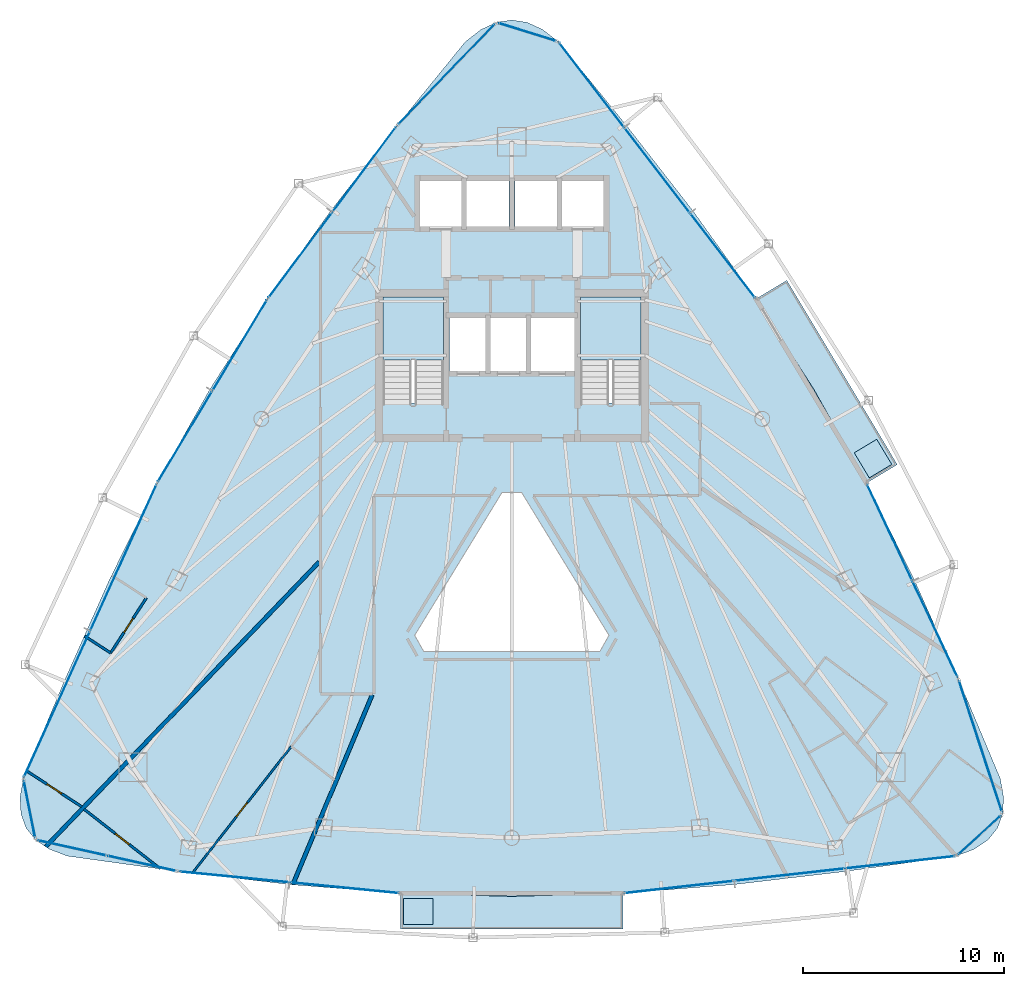
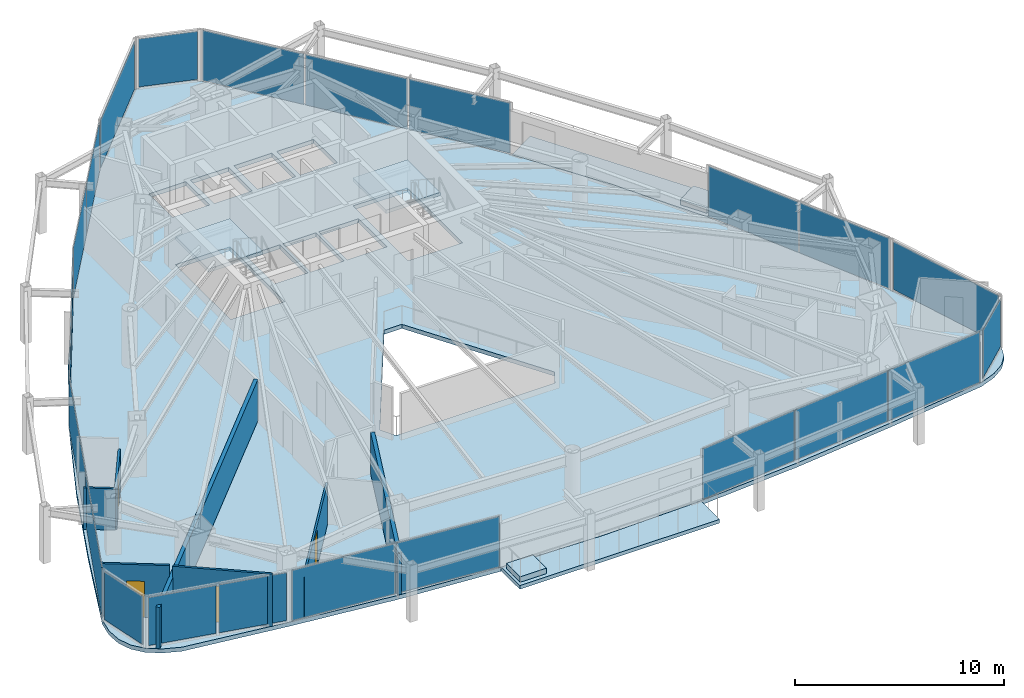
# One storey, part 25 of 30: 23 plates, 7 slabs, 7 walls, 4 doors, 4 openings, 15 elements without a shape of their own.
"""IFC4 building model written with IfcOpenShell, lengths in metres."""

from ifc_helpers import new_model, si_unit, direction, frame, frame_2d, origin, origin_2d, place, context, subcontext, project, spatial, polyline, rectangle, outline, extrude, material, layer, layer_set, type_object, element, fill, aggregate, save


model = new_model("IFC4")

# Units and contexts
model_context = context("Model", 3, precision=1e-05, world=origin(), true_north=direction((0.0, 1.0)))
body_context = subcontext(model_context, "Body", "Model", "MODEL_VIEW")
ifc_project = project(units=[si_unit("LENGTHUNIT", "METRE"), si_unit("AREAUNIT", "SQUARE_METRE"), si_unit("VOLUMEUNIT", "CUBIC_METRE"), si_unit("PLANEANGLEUNIT", "RADIAN"), si_unit("MASSUNIT", "GRAM", prefix="KILO")], contexts=[model_context])

# Site, building, storey
site_placement = place(None, origin())
site = spatial("IfcSite", under=ifc_project, at=site_placement, CompositionType="ELEMENT")
building_placement = place(site_placement, origin())
building = spatial("IfcBuilding", under=site, at=building_placement, Name="Orvanel Arch Residences", CompositionType="ELEMENT")
storey_placement = place(building_placement, frame((0.0, 0.0, 180.35009765625)))
storey = spatial("IfcBuildingStorey", under=building, at=storey_placement, Name="L51", CompositionType="ELEMENT", Elevation=180.35009765625)

# Curtain wall, plates
ifc_material_1 = material(Name="Bronze-anodised aluminium AA6063-T6", Category="aluminium")
ifc_layer_1 = layer(ifc_material_1, 0.179931640625)
ifc_layer_set_1 = layer_set([ifc_layer_1], Name="Bronze-anodised aluminium AA6063-T6")
curtain_wall_type_1 = type_object("IfcCurtainWallType", Name="CW3-MID-SYS", PredefinedType="NOTDEFINED", material=ifc_layer_set_1)
curtain_wall_1_placement = place(storey_placement, origin())
curtain_wall_1 = element("IfcCurtainWall", 1, at=curtain_wall_1_placement, inside=storey, type_object=curtain_wall_type_1, Name="L51 CW3-MID-SYS Unitised Curtain Wall", PredefinedType="NOTDEFINED")
ifc_material_2 = material(Name="Double-glazed solar-control low-E safety glass", Category="glass")
ifc_layer_2 = layer(ifc_material_2, 0.028076171875)
ifc_layer_set_2 = layer_set([ifc_layer_2], Name="Double-glazed solar-control low-E safety glass")
plate_type_1 = type_object("IfcPlateType", Name="PNL-GLZ-28", PredefinedType="CURTAIN_PANEL", material=ifc_layer_set_2)
plate_1_placement = place(storey_placement, frame((25.673583984375, 40.014892578125, 0.059814453125), z_axis=(0.0, 0.0, 1.0), x_axis=(-0.598439994041, -0.801167631356, 0.0)))
plate_1 = element("IfcPlate", 2, at=plate_1_placement, type_object=plate_type_1, Name="CW-S3 panel 1.1", PredefinedType="CURTAIN_PANEL", context=body_context, shape_type="SweptSolid", body=[
    extrude(rectangle(XDim=5.232177734375, YDim=0.028076171875, at=origin_2d()), origin(), (0.0, 0.0, 1.0), 2.93994140625),
])
plate_2_placement = place(storey_placement, frame((22.50048828125, 35.76708984375, 0.059814453125), z_axis=(0.0, 0.0, 1.0), x_axis=(-0.598439994041, -0.801167631356, 0.0)))
plate_2 = element("IfcPlate", 3, at=plate_2_placement, type_object=plate_type_1, Name="CW-S3 panel 2.1", PredefinedType="CURTAIN_PANEL", context=body_context, shape_type="SweptSolid", body=[
    extrude(rectangle(XDim=5.232177734375, YDim=0.028076171875, at=origin_2d()), origin(), (0.0, 0.0, 1.0), 2.93994140625),
])
aggregate(curtain_wall_1, [plate_1, plate_2])

curtain_wall_2_placement = place(storey_placement, origin())
curtain_wall_2 = element("IfcCurtainWall", 4, at=curtain_wall_2_placement, inside=storey, type_object=curtain_wall_type_1, Name="L51 CW3-MID-SYS Unitised Curtain Wall", PredefinedType="NOTDEFINED")
plate_3_placement = place(storey_placement, frame((19.496337890625, 31.2900390625, 0.059814453125), z_axis=(0.0, 0.0, 1.0), x_axis=(-0.514371132502, -0.857567687153, 0.0)))
plate_3 = element("IfcPlate", 5, at=plate_3_placement, type_object=plate_type_1, Name="CW-S3 panel 1.1", PredefinedType="CURTAIN_PANEL", context=body_context, shape_type="SweptSolid", body=[
    extrude(rectangle(XDim=5.205322265625, YDim=0.028076171875, at=origin_2d()), origin(), (0.0, 0.0, 1.0), 2.93994140625),
])
plate_4_placement = place(storey_placement, frame((16.78271484375, 26.76611328125, 0.059814453125), z_axis=(0.0, 0.0, 1.0), x_axis=(-0.514371132502, -0.857567687153, 0.0)))
plate_4 = element("IfcPlate", 6, at=plate_4_placement, type_object=plate_type_1, Name="CW-S3 panel 2.1", PredefinedType="CURTAIN_PANEL", context=body_context, shape_type="SweptSolid", body=[
    extrude(rectangle(XDim=5.205322265625, YDim=0.028076171875, at=origin_2d()), origin(), (0.0, 0.0, 1.0), 2.93994140625),
])
aggregate(curtain_wall_2, [plate_3, plate_4])

curtain_wall_3_placement = place(storey_placement, origin())
curtain_wall_3 = element("IfcCurtainWall", 7, at=curtain_wall_3_placement, inside=storey, type_object=curtain_wall_type_1, Name="L51 CW3-MID-SYS Unitised Curtain Wall", PredefinedType="NOTDEFINED")
plate_5_placement = place(storey_placement, frame((13.726806640625, 20.766357421875, 0.059814453125), z_axis=(0.0, 0.0, 1.0), x_axis=(-0.412530955809, -0.910943582501, 0.0)))
plate_5 = element("IfcPlate", 8, at=plate_5_placement, type_object=plate_type_1, Name="CW-S3 panel 1.1", PredefinedType="CURTAIN_PANEL", context=body_context, shape_type="SweptSolid", body=[
    extrude(rectangle(XDim=7.923583984375, YDim=0.028076171875, at=origin_2d()), origin(), (0.0, 0.0, 1.0), 2.93994140625),
])
plate_6_placement = place(storey_placement, frame((10.42919921875, 13.484619140625, 0.059814453125), z_axis=(0.0, 0.0, 1.0), x_axis=(-0.412530955809, -0.910943582501, 0.0)))
plate_6 = element("IfcPlate", 9, at=plate_6_placement, type_object=plate_type_1, Name="CW-S3 panel 2.1", PredefinedType="CURTAIN_PANEL", context=body_context, shape_type="SweptSolid", body=[
    extrude(rectangle(XDim=7.923583984375, YDim=0.028076171875, at=origin_2d()), origin(), (0.0, 0.0, 1.0), 2.93994140625),
])
aggregate(curtain_wall_3, [plate_5, plate_6])

curtain_wall_4_placement = place(storey_placement, origin())
curtain_wall_4 = element("IfcCurtainWall", 10, at=curtain_wall_4_placement, inside=storey, type_object=curtain_wall_type_1, Name="L51 CW3-MID-SYS Unitised Curtain Wall", PredefinedType="NOTDEFINED")
plate_7_placement = place(storey_placement, frame((19.23828125, 4.906494140625, 0.059814453125), z_axis=(0.0, 0.0, 1.0), x_axis=(0.995215758482, -0.097701556124, 0.0)))
plate_7 = element("IfcPlate", 11, at=plate_7_placement, type_object=plate_type_1, Name="CW-S3 panel 1.1", PredefinedType="CURTAIN_PANEL", context=body_context, shape_type="SweptSolid", body=[
    extrude(rectangle(XDim=5.4169921875, YDim=0.028076171875, at=origin_2d()), origin(), (0.0, 0.0, 1.0), 2.93994140625),
])
plate_8_placement = place(storey_placement, frame((24.69873046875, 4.370361328125, 0.059814453125), z_axis=(0.0, 0.0, 1.0), x_axis=(0.995215758482, -0.097701556124, 0.0)))
plate_8 = element("IfcPlate", 12, at=plate_8_placement, type_object=plate_type_1, Name="CW-S3 panel 2.1", PredefinedType="CURTAIN_PANEL", context=body_context, shape_type="SweptSolid", body=[
    extrude(rectangle(XDim=5.4169921875, YDim=0.028076171875, at=origin_2d()), origin(), (0.0, 0.0, 1.0), 2.93994140625),
])
aggregate(curtain_wall_4, [plate_7, plate_8])

curtain_wall_5_placement = place(storey_placement, origin())
curtain_wall_5 = element("IfcCurtainWall", 13, at=curtain_wall_5_placement, inside=storey, type_object=curtain_wall_type_1, Name="L51 CW3-MID-SYS Unitised Curtain Wall", PredefinedType="NOTDEFINED")
plate_9_placement = place(storey_placement, frame((41.304443359375, 4.408447265625, 0.059814453125), z_axis=(0.0, 0.0, 1.0), x_axis=(0.993811570836, 0.111079078463, 0.0)))
plate_9 = element("IfcPlate", 14, at=plate_9_placement, type_object=plate_type_1, Name="CW-S3 panel 1.1", PredefinedType="CURTAIN_PANEL", context=body_context, shape_type="SweptSolid", body=[
    extrude(rectangle(XDim=5.431640625, YDim=0.028076171875, at=origin_2d()), origin(), (0.0, 0.0, 1.0), 2.93994140625),
])
plate_10_placement = place(storey_placement, frame((46.78955078125, 5.021484375, 0.059814453125), z_axis=(0.0, 0.0, 1.0), x_axis=(0.993811570836, 0.111079078463, 0.0)))
plate_10 = element("IfcPlate", 15, at=plate_10_placement, type_object=plate_type_1, Name="CW-S3 panel 2.1", PredefinedType="CURTAIN_PANEL", context=body_context, shape_type="SweptSolid", body=[
    extrude(rectangle(XDim=5.466552734375, YDim=0.028076171875, at=origin_2d()), origin(), (0.0, 0.0, 1.0), 2.93994140625),
])
plate_11_placement = place(storey_placement, frame((52.2744140625, 5.634521484375, 0.059814453125), z_axis=(0.0, 0.0, 1.0), x_axis=(0.993811570836, 0.111079078463, 0.0)))
plate_11 = element("IfcPlate", 16, at=plate_11_placement, type_object=plate_type_1, Name="CW-S3 panel 3.1", PredefinedType="CURTAIN_PANEL", context=body_context, shape_type="SweptSolid", body=[
    extrude(rectangle(XDim=5.431640625, YDim=0.028076171875, at=origin_2d()), origin(), (0.0, 0.0, 1.0), 2.93994140625),
])
aggregate(curtain_wall_5, [plate_9, plate_10, plate_11])

curtain_wall_6_placement = place(storey_placement, origin())
curtain_wall_6 = element("IfcCurtainWall", 17, at=curtain_wall_6_placement, inside=storey, type_object=curtain_wall_type_1, Name="L51 CW3-MID-SYS Unitised Curtain Wall", PredefinedType="NOTDEFINED")
plate_12_placement = place(storey_placement, frame((54.00634765625, 17.20751953125, 0.059814453125), z_axis=(0.0, 0.0, 1.0), x_axis=(-0.425007396362, 0.905189876787, 0.0)))
plate_12 = element("IfcPlate", 18, at=plate_12_placement, type_object=plate_type_1, Name="CW-S3 panel 1.1", PredefinedType="CURTAIN_PANEL", context=body_context, shape_type="SweptSolid", body=[
    extrude(rectangle(XDim=5.232666015625, YDim=0.028076171875, at=origin_2d()), origin(), (0.0, 0.0, 1.0), 2.93994140625),
])
plate_13_placement = place(storey_placement, frame((51.752685546875, 22.00732421875, 0.059814453125), z_axis=(0.0, 0.0, 1.0), x_axis=(-0.425007396362, 0.905189876787, 0.0)))
plate_13 = element("IfcPlate", 19, at=plate_13_placement, type_object=plate_type_1, Name="CW-S3 panel 2.1", PredefinedType="CURTAIN_PANEL", context=body_context, shape_type="SweptSolid", body=[
    extrude(rectangle(XDim=5.232666015625, YDim=0.028076171875, at=origin_2d()), origin(), (0.0, 0.0, 1.0), 2.93994140625),
])
aggregate(curtain_wall_6, [plate_12, plate_13])

curtain_wall_7_placement = place(storey_placement, origin())
curtain_wall_7 = element("IfcCurtainWall", 20, at=curtain_wall_7_placement, inside=storey, type_object=curtain_wall_type_1, Name="L51 CW3-MID-SYS Unitised Curtain Wall", PredefinedType="NOTDEFINED")
plate_14_placement = place(storey_placement, frame((43.465087890625, 35.75048828125, 0.059814453125), z_axis=(0.0, 0.0, 1.0), x_axis=(-0.609533166868, 0.792760568197, 0.0)))
plate_14 = element("IfcPlate", 21, at=plate_14_placement, type_object=plate_type_1, Name="CW-S3 panel 1.1", PredefinedType="CURTAIN_PANEL", context=body_context, shape_type="SweptSolid", body=[
    extrude(rectangle(XDim=5.2470703125, YDim=0.028076171875, at=origin_2d()), origin(), (0.0, 0.0, 1.0), 2.93994140625),
])
plate_15_placement = place(storey_placement, frame((40.21337890625, 39.9794921875, 0.059814453125), z_axis=(0.0, 0.0, 1.0), x_axis=(-0.609533166868, 0.792760568197, 0.0)))
plate_15 = element("IfcPlate", 22, at=plate_15_placement, type_object=plate_type_1, Name="CW-S3 panel 2.1", PredefinedType="CURTAIN_PANEL", context=body_context, shape_type="SweptSolid", body=[
    extrude(rectangle(XDim=5.2822265625, YDim=0.028076171875, at=origin_2d()), origin(), (0.0, 0.0, 1.0), 2.93994140625),
])
plate_16_placement = place(storey_placement, frame((36.9619140625, 44.208740234375, 0.059814453125), z_axis=(0.0, 0.0, 1.0), x_axis=(-0.609533166868, 0.792760568197, 0.0)))
plate_16 = element("IfcPlate", 23, at=plate_16_placement, type_object=plate_type_1, Name="CW-S3 panel 3.1", PredefinedType="CURTAIN_PANEL", context=body_context, shape_type="SweptSolid", body=[
    extrude(rectangle(XDim=5.2470703125, YDim=0.028076171875, at=origin_2d()), origin(), (0.0, 0.0, 1.0), 2.93994140625),
])
aggregate(curtain_wall_7, [plate_14, plate_15, plate_16])

# Curtain wall, plate
ifc_layer_3 = layer(ifc_material_1, 0.18994140625)
ifc_layer_set_3 = layer_set([ifc_layer_3], Name="Bronze-anodised aluminium AA6063-T6")
curtain_wall_type_2 = type_object("IfcCurtainWallType", Name="CW5-CRN-SYS", PredefinedType="NOTDEFINED", material=ifc_layer_set_3)
curtain_wall_8_placement = place(storey_placement, origin())
curtain_wall_8 = element("IfcCurtainWall", 24, at=curtain_wall_8_placement, inside=storey, type_object=curtain_wall_type_2, Name="L51 CW5-CRN-SYS Unitised Curtain Wall", PredefinedType="NOTDEFINED")
ifc_layer_4 = layer(ifc_material_2, 0.031982421875)
ifc_layer_set_4 = layer_set([ifc_layer_4], Name="Double-glazed solar-control low-E safety glass")
plate_type_2 = type_object("IfcPlateType", Name="PNL-GLZ-32", PredefinedType="CURTAIN_PANEL", material=ifc_layer_set_4)
plate_17_placement = place(storey_placement, frame((33.76953125, 46.839111328125, 0.1298828125), z_axis=(0.0, 0.0, 1.0), x_axis=(-0.954809233142, 0.297219326942, 0.0)))
plate_17 = element("IfcPlate", 25, at=plate_17_placement, type_object=plate_type_2, Name="CW-S5 panel 1.1", PredefinedType="CURTAIN_PANEL", context=body_context, shape_type="SweptSolid", body=[
    extrude(rectangle(XDim=2.8828125, YDim=0.031982421875, at=origin_2d()), origin(), (0.0, 0.0, 1.0), 2.800048828125),
])
aggregate(curtain_wall_8, [plate_17])

curtain_wall_9_placement = place(storey_placement, origin())
curtain_wall_9 = element("IfcCurtainWall", 26, at=curtain_wall_9_placement, inside=storey, type_object=curtain_wall_type_2, Name="L51 CW5-CRN-SYS Unitised Curtain Wall", PredefinedType="NOTDEFINED")
plate_18_placement = place(storey_placement, frame((29.761962890625, 44.75048828125, 0.1298828125), z_axis=(0.0, 0.0, 1.0), x_axis=(-0.693066401393, -0.720873749875, 0.0)))
plate_18 = element("IfcPlate", 27, at=plate_18_placement, type_object=plate_type_2, Name="CW-S5 panel 1.1", PredefinedType="CURTAIN_PANEL", context=body_context, shape_type="SweptSolid", body=[
    extrude(rectangle(XDim=6.784423828125, YDim=0.031982421875, at=origin_2d()), origin(), (0.0, 0.0, 1.0), 2.800048828125),
])
aggregate(curtain_wall_9, [plate_18])

curtain_wall_10_placement = place(storey_placement, origin())
curtain_wall_10 = element("IfcCurtainWall", 28, at=curtain_wall_10_placement, inside=storey, type_object=curtain_wall_type_2, Name="L51 CW5-CRN-SYS Unitised Curtain Wall", PredefinedType="NOTDEFINED")
plate_19_placement = place(storey_placement, frame((9.0615234375, 8.27197265625, 0.1298828125), z_axis=(0.0, 0.0, 1.0), x_axis=(0.195551071234, -0.980693519169, 0.0)))
plate_19 = element("IfcPlate", 29, at=plate_19_placement, type_object=plate_type_2, Name="CW-S5 panel 1.1", PredefinedType="CURTAIN_PANEL", context=body_context, shape_type="SweptSolid", body=[
    extrude(rectangle(XDim=2.76318359375, YDim=0.031982421875, at=origin_2d()), origin(), (0.0, 0.0, 1.0), 2.800048828125),
])
aggregate(curtain_wall_10, [plate_19])

# Curtain wall, plates
curtain_wall_11_placement = place(storey_placement, origin())
curtain_wall_11 = element("IfcCurtainWall", 30, at=curtain_wall_11_placement, inside=storey, type_object=curtain_wall_type_2, Name="L51 CW5-CRN-SYS Unitised Curtain Wall", PredefinedType="NOTDEFINED")
plate_20_placement = place(storey_placement, frame((11.18359375, 6.347412109375, 0.1298828125), z_axis=(0.0, 0.0, 1.0), x_axis=(0.976310757016, -0.216373070724, 0.0)))
plate_20 = element("IfcPlate", 31, at=plate_20_placement, type_object=plate_type_2, Name="CW-S5 panel 1.1", PredefinedType="CURTAIN_PANEL", context=body_context, shape_type="SweptSolid", body=[
    extrude(rectangle(XDim=3.384521484375, YDim=0.031982421875, at=origin_2d()), origin(), (0.0, 0.0, 1.0), 2.800048828125),
])
plate_21_placement = place(storey_placement, frame((14.63427734375, 5.58251953125, 0.1298828125), z_axis=(0.0, 0.0, 1.0), x_axis=(0.976310757016, -0.216373070724, 0.0)))
plate_21 = element("IfcPlate", 32, at=plate_21_placement, type_object=plate_type_2, Name="CW-S5 panel 2.1", PredefinedType="CURTAIN_PANEL", context=body_context, shape_type="SweptSolid", body=[
    extrude(rectangle(XDim=3.384521484375, YDim=0.031982421875, at=origin_2d()), origin(), (0.0, 0.0, 1.0), 2.800048828125),
])
aggregate(curtain_wall_11, [plate_20, plate_21])

# Curtain wall, plate
curtain_wall_12_placement = place(storey_placement, origin())
curtain_wall_12 = element("IfcCurtainWall", 33, at=curtain_wall_12_placement, inside=storey, type_object=curtain_wall_type_2, Name="L51 CW5-CRN-SYS Unitised Curtain Wall", PredefinedType="NOTDEFINED")
plate_22_placement = place(storey_placement, frame((56.2119140625, 6.989013671875, 0.1298828125), z_axis=(0.0, 0.0, 1.0), x_axis=(0.740235370791, 0.672347823548, 0.0)))
plate_22 = element("IfcPlate", 34, at=plate_22_placement, type_object=plate_type_2, Name="CW-S5 panel 1.1", PredefinedType="CURTAIN_PANEL", context=body_context, shape_type="SweptSolid", body=[
    extrude(rectangle(XDim=2.763916015625, YDim=0.031982421875, at=origin_2d()), origin(), (0.0, 0.0, 1.0), 2.800048828125),
])
aggregate(curtain_wall_12, [plate_22])

curtain_wall_13_placement = place(storey_placement, origin())
curtain_wall_13 = element("IfcCurtainWall", 35, at=curtain_wall_13_placement, inside=storey, type_object=curtain_wall_type_2, Name="L51 CW5-CRN-SYS Unitised Curtain Wall", PredefinedType="NOTDEFINED")
plate_23_placement = place(storey_placement, frame((56.259033203125, 11.39501953125, 0.1298828125), z_axis=(0.0, 0.0, 1.0), x_axis=(-0.311449715192, 0.9502626347, 0.0)))
plate_23 = element("IfcPlate", 36, at=plate_23_placement, type_object=plate_type_2, Name="CW-S5 panel 1.1", PredefinedType="CURTAIN_PANEL", context=body_context, shape_type="SweptSolid", body=[
    extrude(rectangle(XDim=6.738037109375, YDim=0.031982421875, at=origin_2d()), origin(), (0.0, 0.0, 1.0), 2.800048828125),
])
aggregate(curtain_wall_13, [plate_23])

# Slabs
ifc_material_3 = material(Name="Concrete N40 (40 MPa)", Category="concrete")
ifc_layer_5 = layer(ifc_material_3, 0.215087890625)
ifc_layer_set_5 = layer_set([ifc_layer_5], Name="Concrete N40 (40 MPa)")
slab_type_1 = type_object("IfcSlabType", Name="SLB-BAL-215", PredefinedType="FLOOR", material=ifc_layer_set_5)
slab_1_placement = place(storey_placement, frame((0.0, 0.0, -0.215087890625)))
element("IfcSlab", 37, at=slab_1_placement, inside=storey, type_object=slab_type_1, Name="L51 Cantilevered Balcony Slab Face 2", PredefinedType="FLOOR", context=body_context, shape_type="SweptSolid", body=[
    extrude(outline(polyline([(27.48388671875, 2.31689453125), (38.51611328125, 2.31689453125), (38.51611328125, 4.096923828125), (33.0, 3.945068359375), (27.48388671875, 4.096923828125), (27.48388671875, 2.31689453125)])), origin(), (0.0, 0.0, 1.0), 0.215087890625),
])
slab_2_placement = place(storey_placement, frame((0.0, 0.0, -0.215087890625)))
element("IfcSlab", 38, at=slab_2_placement, inside=storey, type_object=slab_type_1, Name="L51 Cantilevered Balcony Slab Face 3", PredefinedType="FLOOR", context=body_context, shape_type="SweptSolid", body=[
    extrude(outline(polyline([(52.12890625, 25.373046875), (46.64501953125, 34.514892578125), (45.118896484375, 33.59912109375), (47.990966796875, 29.10595703125), (50.60205078125, 24.45703125), (52.12890625, 25.373046875)])), origin(), (0.0, 0.0, 1.0), 0.215087890625),
])

# Stair, slab
ifc_material_4 = material(Name="Precast concrete N50 (50 MPa)", Category="concrete")
stair_type = type_object("IfcStairType", Name="STR-DOG-184", PredefinedType="USERDEFINED", material=ifc_material_4)
stair_1_placement = place(storey_placement, origin())
stair_1 = element("IfcStair", 39, at=stair_1_placement, inside=storey, type_object=stair_type, Name="L51 Fire-Isolated Core Exit Stair 1", ObjectType="TWO_RETURN_STAIR", PredefinedType="USERDEFINED")
ifc_layer_6 = layer(ifc_material_3, 0.199951171875)
ifc_layer_set_6 = layer_set([ifc_layer_6], Name="Concrete N40 (40 MPa)")
slab_type_2 = type_object("IfcSlabType", Name="SLB-LND-200", PredefinedType="LANDING", material=ifc_layer_set_6)
slab_3_placement = place(storey_placement, frame((0.0, 0.0, 1.449951171875)))
slab_3 = element("IfcSlab", 40, at=slab_3_placement, type_object=slab_type_2, Name="ST-1 landing 1", PredefinedType="LANDING", context=body_context, shape_type="SweptSolid", body=[
    extrude(outline(polyline([(29.60009765625, 30.56005859375), (29.60009765625, 33.699951171875), (26.60009765625, 33.699951171875), (26.60009765625, 30.56005859375), (29.60009765625, 30.56005859375)])), origin(), (0.0, 0.0, 1.0), 0.199951171875),
])
aggregate(stair_1, [slab_3])

stair_2_placement = place(storey_placement, origin())
stair_2 = element("IfcStair", 41, at=stair_2_placement, inside=storey, type_object=stair_type, Name="L51 Fire-Isolated Core Exit Stair 2", ObjectType="TWO_RETURN_STAIR", PredefinedType="USERDEFINED")
slab_4_placement = place(storey_placement, frame((0.0, 0.0, 1.449951171875)))
slab_4 = element("IfcSlab", 42, at=slab_4_placement, type_object=slab_type_2, Name="ST-2 landing 1", PredefinedType="LANDING", context=body_context, shape_type="SweptSolid", body=[
    extrude(outline(polyline([(39.39990234375, 30.56005859375), (39.39990234375, 33.699951171875), (36.39990234375, 33.699951171875), (36.39990234375, 30.56005859375), (39.39990234375, 30.56005859375)])), origin(), (0.0, 0.0, 1.0), 0.199951171875),
])
aggregate(stair_2, [slab_4])

# Slabs
ifc_material_5 = material(Name="Structural architectural precast concrete N40 (40 MPa) planter", Category="concrete")
ifc_layer_7 = layer(ifc_material_5, 0.320068359375)
ifc_layer_set_7 = layer_set([ifc_layer_7], Name="Structural architectural precast concrete N40 (40 MPa) planter")
slab_type_3 = type_object("IfcSlabType", Name="SLB-PLN-320", PredefinedType="USERDEFINED", material=ifc_layer_set_7)
slab_5_placement = place(storey_placement, origin())
element("IfcSlab", 43, at=slab_5_placement, inside=storey, type_object=slab_type_3, Name="L51 Balcony TREE PLANTER Face 2", ObjectType="PLANTER", PredefinedType="USERDEFINED", context=body_context, shape_type="SweptSolid", body=[
    extrude(outline(polyline([(27.634033203125, 2.547119140625), (29.083984375, 2.547119140625), (29.083984375, 3.846923828125), (27.634033203125, 3.846923828125), (27.634033203125, 2.547119140625)])), origin(), (0.0, 0.0, 1.0), 0.31982421875),
])
slab_6_placement = place(storey_placement, origin())
element("IfcSlab", 44, at=slab_6_placement, inside=storey, type_object=slab_type_3, Name="L51 Balcony TREE PLANTER Face 3", ObjectType="PLANTER", PredefinedType="USERDEFINED", context=body_context, shape_type="SweptSolid", body=[
    extrude(outline(polyline([(51.85498046875, 25.383056640625), (51.10888671875, 26.626953125), (49.993896484375, 25.9580078125), (50.739990234375, 24.715087890625), (51.85498046875, 25.383056640625)])), origin(), (0.0, 0.0, 1.0), 0.31982421875),
])
ifc_layer_8 = layer(ifc_material_3, 0.239990234375)
ifc_layer_set_8 = layer_set([ifc_layer_8], Name="Concrete N40 (40 MPa)")
slab_type_4 = type_object("IfcSlabType", Name="SLB-TYP-240", PredefinedType="FLOOR", material=ifc_layer_set_8)
slab_7_placement = place(storey_placement, frame((0.0, 0.0, -0.239990234375)))
element("IfcSlab", 45, at=slab_7_placement, inside=storey, type_object=slab_type_4, Name="L51 Tower Floor Slab", PredefinedType="FLOOR", context=body_context, shape_type="SweptSolid", body=[
    extrude(outline(polyline([(35.30810546875, 46.360107421875), (34.5390625, 46.958984375), (33.76904296875, 47.318115234375), (33.0, 47.43798828125), (32.23095703125, 47.318115234375), (31.4609375, 46.958984375), (30.69189453125, 46.360107421875), (27.29296875, 42.18310546875), (23.9951171875, 37.947021484375), (20.881103515625, 33.59912109375), (18.009033203125, 29.10595703125), (15.39794921875, 24.45703125), (13.028076171875, 19.6630859375), (10.843017578125, 14.758056640625), (8.758056640625, 9.7939453125), (8.592041015625, 8.85302734375), (8.638916015625, 8.031982421875), (8.89599609375, 7.3310546875), (9.364990234375, 6.75), (10.044921875, 6.2880859375), (10.93701171875, 5.946044921875), (16.452880859375, 5.179931640625), (21.968017578125, 4.531005859375), (27.48388671875, 4.096923828125), (33.0, 3.945068359375), (38.51611328125, 4.096923828125), (44.031982421875, 4.531005859375), (49.547119140625, 5.179931640625), (55.06298828125, 5.946044921875), (55.955078125, 6.2880859375), (56.635009765625, 6.75), (57.10400390625, 7.3310546875), (57.361083984375, 8.031982421875), (57.407958984375, 8.85302734375), (57.241943359375, 9.7939453125), (55.156982421875, 14.758056640625), (52.971923828125, 19.6630859375), (50.60205078125, 24.45703125), (47.990966796875, 29.10595703125), (45.118896484375, 33.59912109375), (42.0048828125, 37.947021484375), (38.70703125, 42.18310546875), (35.30810546875, 46.360107421875)]), holes=[polyline([(26.60009765625, 28.429931640625), (26.60009765625, 33.699951171875), (29.60009765625, 33.699951171875), (29.60009765625, 28.429931640625), (26.60009765625, 28.429931640625)]), polyline([(36.39990234375, 28.429931640625), (36.39990234375, 33.699951171875), (39.39990234375, 33.699951171875), (39.39990234375, 28.429931640625), (36.39990234375, 28.429931640625)]), polyline([(29.89990234375, 32.64990234375), (31.75, 32.64990234375), (31.75, 29.949951171875), (29.89990234375, 29.949951171875), (29.89990234375, 32.64990234375)]), polyline([(31.89990234375, 32.64990234375), (33.75, 32.64990234375), (33.75, 29.949951171875), (31.89990234375, 29.949951171875), (31.89990234375, 32.64990234375)]), polyline([(33.89990234375, 32.64990234375), (36.10009765625, 32.64990234375), (36.10009765625, 29.949951171875), (33.89990234375, 29.949951171875), (33.89990234375, 32.64990234375)]), polyline([(28.449951171875, 39.449951171875), (30.5, 39.449951171875), (30.5, 37.199951171875), (28.449951171875, 37.199951171875), (28.449951171875, 39.449951171875)]), polyline([(35.5, 39.449951171875), (37.550048828125, 39.449951171875), (37.550048828125, 37.199951171875), (35.5, 37.199951171875), (35.5, 39.449951171875)]), polyline([(30.75, 39.449951171875), (32.85009765625, 39.449951171875), (32.85009765625, 37.199951171875), (30.75, 37.199951171875), (30.75, 39.449951171875)]), polyline([(33.14990234375, 39.449951171875), (35.25, 39.449951171875), (35.25, 37.199951171875), (33.14990234375, 37.199951171875), (33.14990234375, 39.449951171875)]), polyline([(37.822021484375, 16.90087890625), (37.373046875, 16.10107421875), (28.626953125, 16.10107421875), (28.177978515625, 16.90087890625), (32.510986328125, 23.988037109375), (33.489013671875, 23.988037109375), (37.822021484375, 16.90087890625)])]), origin(), (0.0, 0.0, 1.0), 0.239990234375),
])

# Walls
ifc_material_6 = material(Name="Fire-rated plasterboard lined steel stud partition", Category="steel")
ifc_layer_9 = layer(ifc_material_6, 0.199951171875)
ifc_layer_set_9 = layer_set([ifc_layer_9], Name="Fire-rated plasterboard lined steel stud partition")
wall_type_1 = type_object("IfcWallType", Name="W-DEM-200", PredefinedType="PARTITIONING", material=ifc_layer_set_9)
wall_1_placement = place(storey_placement, frame((22.131103515625, 4.531982421875, 0.0), z_axis=(0.0, 0.0, 1.0), x_axis=(0.38611914038, 0.922448919687, 0.0)))
element("IfcWall", 46, at=wall_1_placement, inside=storey, type_object=wall_type_1, Name="L51 Inter-Tenancy Acoustic Demising Wall", PredefinedType="PARTITIONING", context=body_context, shape_type="SweptSolid", body=[
    extrude(rectangle(XDim=10.198974609375, YDim=0.199951171875, at=frame_2d((5.099609375, 0.0))), origin(), (0.0, 0.0, 1.0), 2.412841796875),
])
wall_2_placement = place(storey_placement, frame((23.43994140625, 20.5419921875, 0.0), z_axis=(0.0, 0.0, 1.0), x_axis=(-0.692558302481, -0.721361904777, 0.0)))
element("IfcWall", 47, at=wall_2_placement, inside=storey, type_object=wall_type_1, Name="L51 Inter-Tenancy Acoustic Demising Wall", PredefinedType="PARTITIONING", context=body_context, shape_type="SweptSolid", body=[
    extrude(rectangle(XDim=19.57958984375, YDim=0.199951171875, at=frame_2d((9.789794921875, 0.0))), origin(), (0.0, 0.0, 1.0), 2.412841796875),
])

# Wall, opening, door
ifc_material_7 = material(Name="Acoustic plasterboard lined twin-stud partition", Category="gypsum")
ifc_layer_10 = layer(ifc_material_7, 0.10009765625)
ifc_layer_set_10 = layer_set([ifc_layer_10], Name="Acoustic plasterboard lined twin-stud partition")
wall_type_2 = type_object("IfcWallType", Name="W-INT-100", PredefinedType="PARTITIONING", material=ifc_layer_set_10)
wall_3_placement = place(storey_placement, frame((22.056884765625, 11.385009765625, 0.0), z_axis=(0.0, 0.0, 1.0), x_axis=(-0.61561191154, -0.78804947457, 0.0)))
wall_3 = element("IfcWall", 48, at=wall_3_placement, inside=storey, type_object=wall_type_2, Name="L51 Flat B Internal Partition", PredefinedType="PARTITIONING", context=body_context, shape_type="SweptSolid", body=[
    extrude(rectangle(XDim=7.962646484375, YDim=0.10009765625, at=frame_2d((3.9814453125, 0.0))), origin(), (0.0, 0.0, 1.0), 2.412841796875),
])
opening_1_placement = place(wall_3_placement, frame((3.541015625, 0.0, 0.0)))
opening_1 = element("IfcOpeningElement", 49, at=opening_1_placement, cuts=wall_3, Name="Opening DI-088", PredefinedType="OPENING", context=body_context, shape_type="SweptSolid", body=[
    extrude(rectangle(XDim=0.8798828125, YDim=2.10009765625, at=frame_2d((0.43994140625, 1.050048828125))), frame((0.0, 0.06005859375, 0.0), z_axis=(0.0, -1.0, 0.0), x_axis=(1.0, 0.0, 0.0)), (0.0, 0.0, 1.0), 0.1201171875),
])
ifc_material_8 = material(Name="Solid-core European oak veneer fire door leaf", Category="wood")
door_type_1 = type_object("IfcDoorType", Name="DR-INT-880", OperationType="NOTDEFINED", PredefinedType="DOOR", material=ifc_material_8)
door_1_placement = place(opening_1_placement, origin())
door_1 = element("IfcDoor", 50, at=door_1_placement, inside=storey, type_object=door_type_1, Name="DR-L51-B-BED1 L51 Flat B Bedroom 1 Door", OperationType="SINGLE_SWING_LEFT", OverallHeight=2.10009765625, OverallWidth=0.8798828125, PredefinedType="DOOR", context=body_context, shape_type="SweptSolid", body=[
    extrude(rectangle(XDim=0.8798828125, YDim=2.10009765625, at=frame_2d((0.43994140625, 1.050048828125))), frame((0.0, 0.02490234375, 0.0), z_axis=(0.0, -1.0, 0.0), x_axis=(1.0, 0.0, 0.0)), (0.0, 0.0, 1.0), 0.050048828125),
])
fill(opening_1, door_1)

# Wall
ifc_layer_11 = layer(ifc_material_7, 0.1201171875)
ifc_layer_set_11 = layer_set([ifc_layer_11], Name="Acoustic plasterboard lined twin-stud partition")
wall_type_3 = type_object("IfcWallType", Name="W-WET-120", PredefinedType="PARTITIONING", material=ifc_layer_set_11)
wall_4_placement = place(storey_placement, frame((11.797119140625, 16.864013671875, 0.0), z_axis=(0.0, 0.0, 1.0), x_axis=(0.838732745172, -0.544543278516, 0.0)))
element("IfcWall", 51, at=wall_4_placement, inside=storey, type_object=wall_type_3, Name="L51 Studio A Bathroom Partition", PredefinedType="PARTITIONING", context=body_context, shape_type="SweptSolid", body=[
    extrude(rectangle(XDim=1.542724609375, YDim=0.1201171875, at=frame_2d((0.771484375, 0.0))), origin(), (0.0, 0.0, 1.0), 2.412841796875),
])

# Wall, opening, door
wall_5_placement = place(storey_placement, frame((13.091064453125, 16.02392578125, 0.0), z_axis=(0.0, 0.0, 1.0), x_axis=(0.544011633561, 0.839077673729, 0.0)))
wall_5 = element("IfcWall", 52, at=wall_5_placement, inside=storey, type_object=wall_type_3, Name="L51 Studio A Bathroom Partition", PredefinedType="PARTITIONING", context=body_context, shape_type="SweptSolid", body=[
    extrude(rectangle(XDim=3.2607421875, YDim=0.1201171875, at=frame_2d((1.63037109375, 0.0))), origin(), (0.0, 0.0, 1.0), 2.412841796875),
])
opening_2_placement = place(wall_5_placement, frame((1.219970703125, 0.0, 0.0)))
opening_2 = element("IfcOpeningElement", 53, at=opening_2_placement, cuts=wall_5, Name="Opening DW-082", PredefinedType="OPENING", context=body_context, shape_type="SweptSolid", body=[
    extrude(rectangle(XDim=0.820068359375, YDim=2.10009765625, at=frame_2d((0.41015625, 1.050048828125))), frame((0.0, 0.070068359375, 0.0), z_axis=(0.0, -1.0, 0.0), x_axis=(1.0, 0.0, 0.0)), (0.0, 0.0, 1.0), 0.14013671875),
])
door_type_2 = type_object("IfcDoorType", Name="DR-WET-820", OperationType="NOTDEFINED", PredefinedType="DOOR", material=ifc_material_8)
door_2_placement = place(opening_2_placement, origin())
door_2 = element("IfcDoor", 54, at=door_2_placement, inside=storey, type_object=door_type_2, Name="DR-L51-A-BATH L51 Studio A Bathroom Door", OperationType="SINGLE_SWING_RIGHT", OverallHeight=2.10009765625, OverallWidth=0.820068359375, PredefinedType="DOOR", context=body_context, shape_type="SweptSolid", body=[
    extrude(rectangle(XDim=0.820068359375, YDim=2.10009765625, at=frame_2d((0.41015625, 1.050048828125))), frame((0.0, 0.02490234375, 0.0), z_axis=(0.0, -1.0, 0.0), x_axis=(1.0, 0.0, 0.0)), (0.0, 0.0, 1.0), 0.050048828125),
])
fill(opening_2, door_2)

wall_6_placement = place(storey_placement, frame((11.658935546875, 8.39306640625, 0.0), z_axis=(0.0, 0.0, 1.0), x_axis=(-0.838933513053, 0.544233920916, 0.0)))
wall_6 = element("IfcWall", 55, at=wall_6_placement, inside=storey, type_object=wall_type_3, Name="L51 Studio A Internal Partition", PredefinedType="PARTITIONING", context=body_context, shape_type="SweptSolid", body=[
    extrude(rectangle(XDim=3.254150390625, YDim=0.1201171875, at=frame_2d((1.626953125, 0.0))), origin(), (0.0, 0.0, 1.0), 3.059814453125),
])
opening_3_placement = place(wall_6_placement, frame((1.18603515625, 0.0, 0.0)))
opening_3 = element("IfcOpeningElement", 56, at=opening_3_placement, cuts=wall_6, Name="Opening DI-088", PredefinedType="OPENING", context=body_context, shape_type="SweptSolid", body=[
    extrude(rectangle(XDim=0.8798828125, YDim=2.10009765625, at=frame_2d((0.43994140625, 1.050048828125))), frame((0.0, 0.070068359375, 0.0), z_axis=(0.0, -1.0, 0.0), x_axis=(1.0, 0.0, 0.0)), (0.0, 0.0, 1.0), 0.14013671875),
])
door_3_placement = place(opening_3_placement, origin())
door_3 = element("IfcDoor", 57, at=door_3_placement, inside=storey, type_object=door_type_1, Name="DR-L51-A-KIT L51 Studio A Kitchenette Door", OperationType="SINGLE_SWING_LEFT", OverallHeight=2.10009765625, OverallWidth=0.8798828125, PredefinedType="DOOR", context=body_context, shape_type="SweptSolid", body=[
    extrude(rectangle(XDim=0.8798828125, YDim=2.10009765625, at=frame_2d((0.43994140625, 1.050048828125))), frame((0.0, 0.02490234375, 0.0), z_axis=(0.0, -1.0, 0.0), x_axis=(1.0, 0.0, 0.0)), (0.0, 0.0, 1.0), 0.050048828125),
])
fill(opening_3, door_3)

wall_7_placement = place(storey_placement, frame((15.56005859375, 5.31201171875, 0.0), z_axis=(0.0, 0.0, 1.0), x_axis=(-0.788036702969, 0.615628260214, 0.0)))
wall_7 = element("IfcWall", 58, at=wall_7_placement, inside=storey, type_object=wall_type_3, Name="L51 Flat B Internal Partition", PredefinedType="PARTITIONING", context=body_context, shape_type="SweptSolid", body=[
    extrude(rectangle(XDim=4.80322265625, YDim=0.1201171875, at=frame_2d((2.401611328125, 0.0))), origin(), (0.0, 0.0, 1.0), 3.059814453125),
])
opening_4_placement = place(wall_7_placement, frame((1.9619140625, 0.0, 0.0)))
opening_4 = element("IfcOpeningElement", 59, at=opening_4_placement, cuts=wall_7, Name="Opening DI-088", PredefinedType="OPENING", context=body_context, shape_type="SweptSolid", body=[
    extrude(rectangle(XDim=0.8798828125, YDim=2.10009765625, at=frame_2d((0.43994140625, 1.050048828125))), frame((0.0, 0.070068359375, 0.0), z_axis=(0.0, -1.0, 0.0), x_axis=(1.0, 0.0, 0.0)), (0.0, 0.0, 1.0), 0.14013671875),
])
door_4_placement = place(opening_4_placement, origin())
door_4 = element("IfcDoor", 60, at=door_4_placement, inside=storey, type_object=door_type_1, Name="DR-L51-B-KIT L51 Flat B Kitchen Door", OperationType="SINGLE_SWING_LEFT", OverallHeight=2.10009765625, OverallWidth=0.8798828125, PredefinedType="DOOR", context=body_context, shape_type="SweptSolid", body=[
    extrude(rectangle(XDim=0.8798828125, YDim=2.10009765625, at=frame_2d((0.43994140625, 1.050048828125))), frame((0.0, 0.02490234375, 0.0), z_axis=(0.0, -1.0, 0.0), x_axis=(1.0, 0.0, 0.0)), (0.0, 0.0, 1.0), 0.050048828125),
])
fill(opening_4, door_4)

save(model, "model.ifc")
